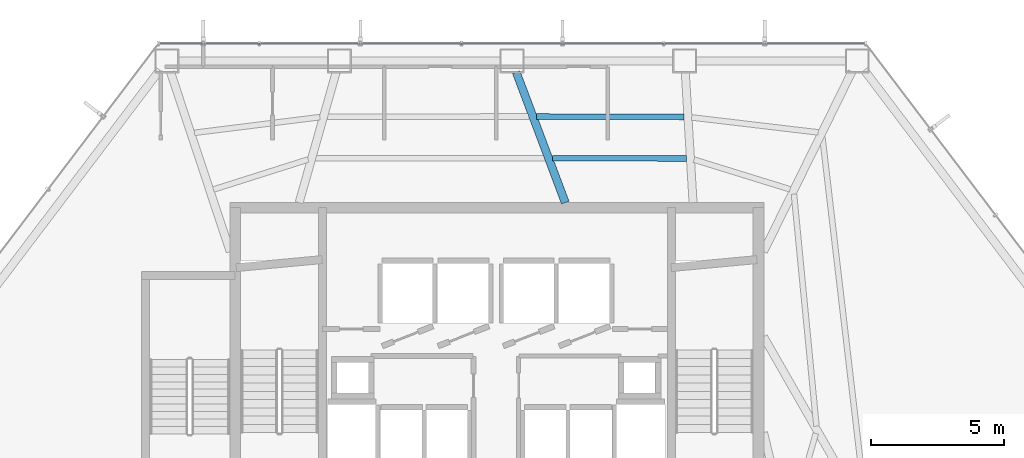
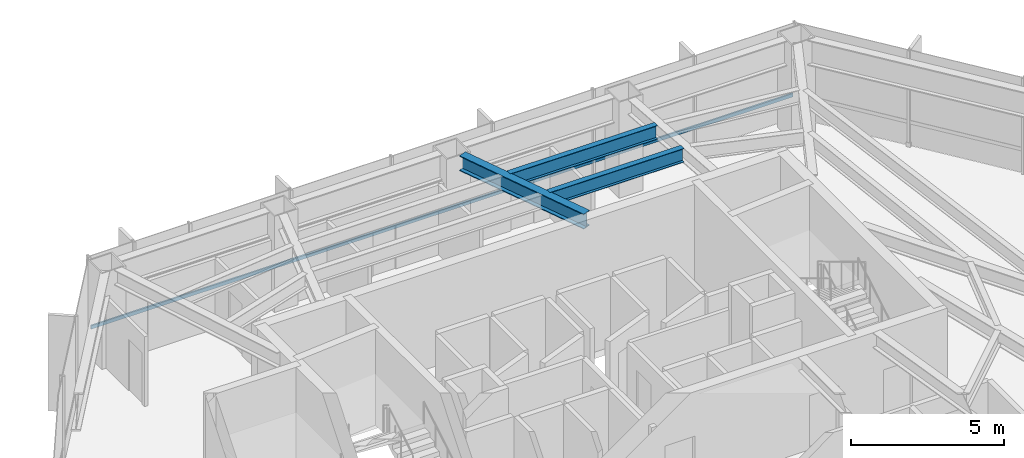
# One storey, part 13 of 25: 3 beams, 1 member, 1 element without a shape of its own.
"""IFC4 building model written with IfcOpenShell, lengths in metres."""

from ifc_helpers import new_model, si_unit, direction, frame, origin, origin_2d, place, context, subcontext, project, spatial, hollow_rectangle, i_section, extrude, material, layer, layer_set, material_profile, profile_set, type_object, element, aggregate, save


model = new_model("IFC4")

# Units and contexts
model_context = context("Model", 3, precision=1e-05, world=origin(), true_north=direction((0.0, 1.0)))
body_context = subcontext(model_context, "Body", "Model", "MODEL_VIEW")
ifc_project = project(units=[si_unit("LENGTHUNIT", "METRE"), si_unit("AREAUNIT", "SQUARE_METRE"), si_unit("VOLUMEUNIT", "CUBIC_METRE"), si_unit("PLANEANGLEUNIT", "RADIAN"), si_unit("MASSUNIT", "GRAM", prefix="KILO")], contexts=[model_context])

# Site, building, storey
site_placement = place(None, origin())
site = spatial("IfcSite", under=ifc_project, at=site_placement, CompositionType="ELEMENT")
building_placement = place(site_placement, origin())
building = spatial("IfcBuilding", under=site, at=building_placement, Name="Zarrinselat Tower", CompositionType="ELEMENT")
storey_placement = place(building_placement, frame((0.0, 0.0, 84.659912109375)))
storey = spatial("IfcBuildingStorey", under=building, at=storey_placement, Name="L20", CompositionType="ELEMENT", Elevation=84.659912109375)

# Beams
ifc_material_1 = material(Name="Steel S355J2", Category="steel")
ifc_material_profile_1 = material_profile(ifc_material_1, i_section(OverallWidth=0.300048828125, OverallDepth=0.60009765625, WebThickness=0.015380859375, FlangeThickness=0.030029296875, at=origin_2d()), Name="HEB 600")
ifc_profile_set_1 = profile_set([ifc_material_profile_1], Name="Steel S355J2")
beam_type_1 = type_object("IfcBeamType", Name="BM-HEB600", PredefinedType="BEAM", material=ifc_profile_set_1)
beam_1_placement = place(storey_placement, frame((39.156982421875, 48.543701171875, 3.52001953125), z_axis=(0.351807712904, -0.936072290553, 0.0), x_axis=(0.936072290553, 0.351807712904, 0.0)))
element("IfcBeam", 1, at=beam_1_placement, inside=storey, type_object=beam_type_1, Name="L20 Radial Primary Girder RG03", PredefinedType="BEAM", context=body_context, shape_type="SweptSolid", body=[
    extrude(i_section(OverallWidth=0.300048828125, OverallDepth=0.60009765625, WebThickness=0.015380859375, FlangeThickness=0.030029296875, at=origin_2d()), origin(), (0.0, 0.0, 1.0), 5.23876953125),
])
ifc_material_2 = material(Name="Steel S355J2", Category="steel")
ifc_material_profile_2 = material_profile(ifc_material_2, i_section(OverallWidth=0.2099609375, OverallDepth=0.550048828125, WebThickness=0.010986328125, FlangeThickness=0.01708984375, at=origin_2d()), Name="IPE 550")
ifc_profile_set_2 = profile_set([ifc_material_profile_2], Name="Steel S355J2")
beam_type_2 = type_object("IfcBeamType", Name="BM-IPE550", PredefinedType="JOIST", material=ifc_profile_set_2)
beam_2_placement = place(storey_placement, frame((39.923583984375, 46.8759765625, 3.545166015625), z_axis=(0.999994975175, -0.003170114398, 0.0), x_axis=(0.003170114398, 0.999994975175, 0.0)))
element("IfcBeam", 2, at=beam_2_placement, inside=storey, type_object=beam_type_2, Name="L20 Composite Floor Joist 7-1", PredefinedType="JOIST", context=body_context, shape_type="SweptSolid", body=[
    extrude(i_section(OverallWidth=0.2099609375, OverallDepth=0.550048828125, WebThickness=0.010986328125, FlangeThickness=0.01708984375, at=origin_2d()), origin(), (0.0, 0.0, 1.0), 5.544921875),
])
beam_3_placement = place(storey_placement, frame((40.513427734375, 45.306884765625, 3.545166015625), z_axis=(0.999998398823, -0.001789511548, 0.0), x_axis=(0.001789511548, 0.999998398823, 0.0)))
element("IfcBeam", 3, at=beam_3_placement, inside=storey, type_object=beam_type_2, Name="L20 Composite Floor Joist 7-2", PredefinedType="JOIST", context=body_context, shape_type="SweptSolid", body=[
    extrude(i_section(OverallWidth=0.2099609375, OverallDepth=0.550048828125, WebThickness=0.010986328125, FlangeThickness=0.01708984375, at=origin_2d()), origin(), (0.0, 0.0, 1.0), 5.0478515625),
])

# Curtain wall, member
ifc_material_3 = material(Name="Extruded Aluminium Alloy EN AW-6063 T6", Category="aluminium")
ifc_layer = layer(ifc_material_3, 0.18505859375)
ifc_layer_set = layer_set([ifc_layer], Name="Extruded Aluminium Alloy EN AW-6063 T6")
curtain_wall_type = type_object("IfcCurtainWallType", Name="CWS-OFF", PredefinedType="NOTDEFINED", material=ifc_layer_set)
curtain_wall_placement = place(storey_placement, origin())
curtain_wall = element("IfcCurtainWall", 4, at=curtain_wall_placement, inside=storey, type_object=curtain_wall_type, Name="L20 Unitised Curtain Wall CW-L20-E01", PredefinedType="NOTDEFINED")
ifc_material_4 = material(Name="Extruded Aluminium Alloy EN AW-6063 T6", Category="aluminium")
ifc_material_profile_3 = material_profile(ifc_material_4, hollow_rectangle(XDim=0.06005859375, YDim=0.139892578125, WallThickness=0.00390625, at=origin_2d()), Name="RHS 140x60x4")
ifc_profile_set_3 = profile_set([ifc_material_profile_3], Name="Extruded Aluminium Alloy EN AW-6063 T6")
member_type = type_object("IfcMemberType", Name="MEM-CW-TRN", PredefinedType="USERDEFINED", material=ifc_profile_set_3)
member_placement = place(storey_placement, frame((52.201416015625, 49.61669921875, 0.9501953125), z_axis=(-1.0, 0.0, 0.0), x_axis=(0.0, -1.0, 0.0)))
member = element("IfcMember", 5, at=member_placement, type_object=member_type, Name="CW-L20-E01 Transom 1", ObjectType="TRANSOM", PredefinedType="USERDEFINED", context=body_context, shape_type="SweptSolid", body=[
    extrude(hollow_rectangle(XDim=0.06005859375, YDim=0.139892578125, WallThickness=0.00390625, at=origin_2d()), origin(), (0.0, 0.0, 1.0), 26.406982421875),
])
aggregate(curtain_wall, [member])

save(model, "model.ifc")
